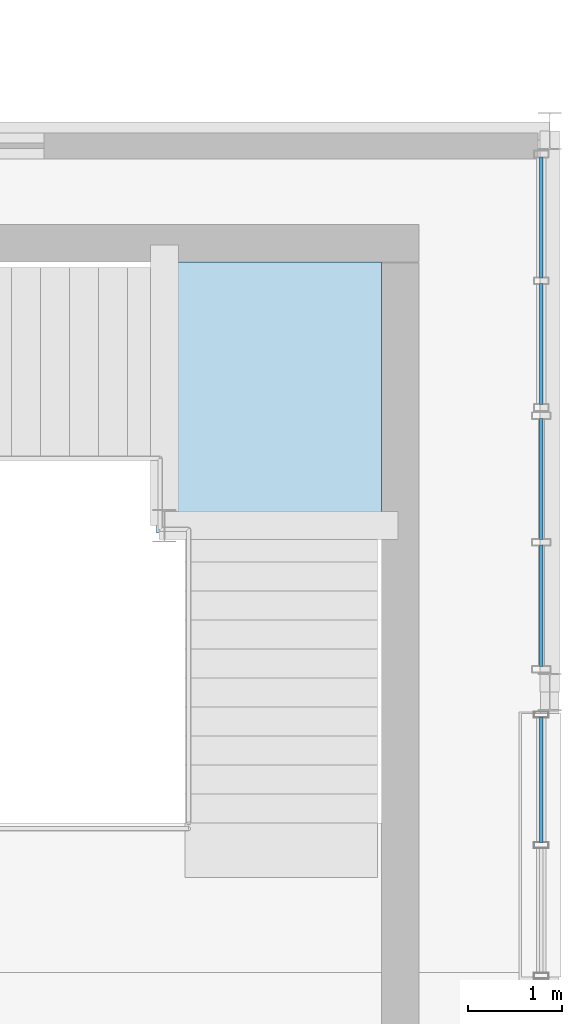
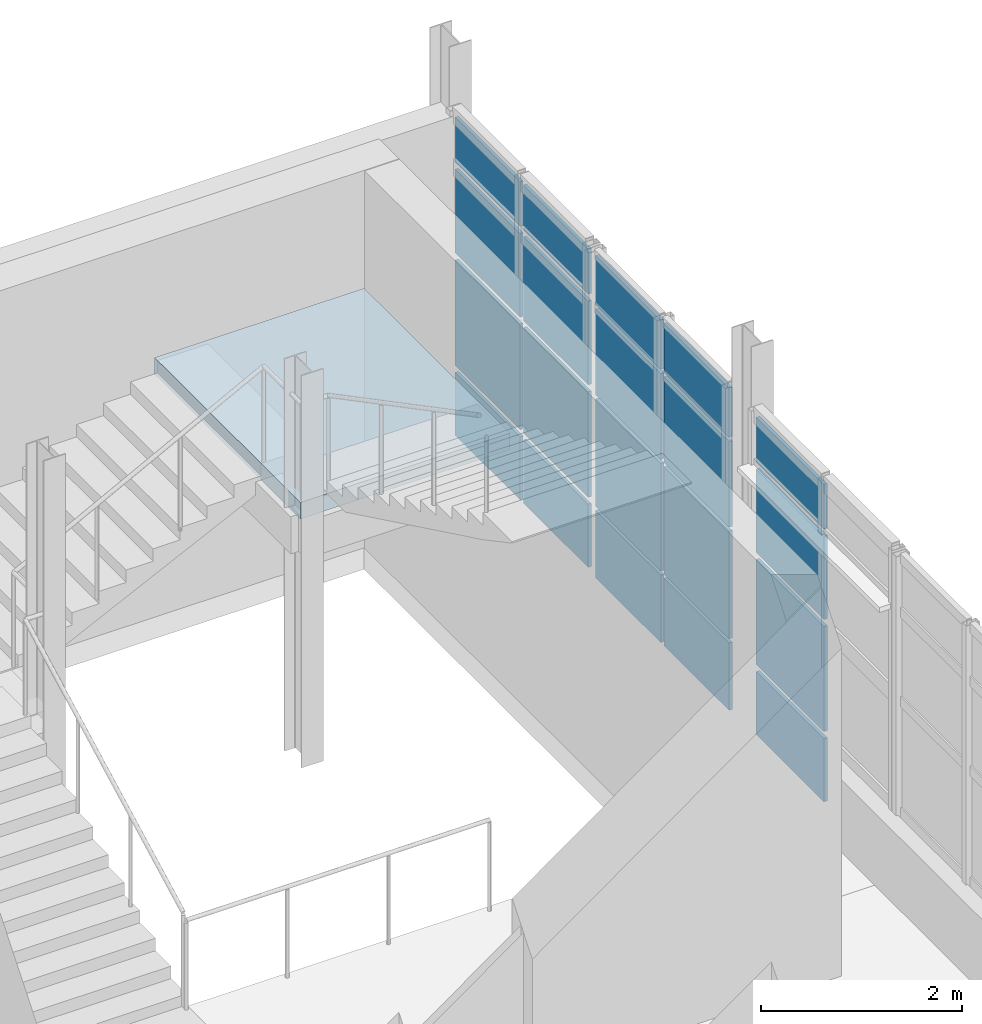
# One storey, part 80 of 102: 20 plates, 1 slab, 4 elements without a shape of their own.
"""IFC4 building model written with IfcOpenShell, lengths in metres."""

import ifcopenshell
import ifcopenshell.guid

model = None  # the IFC model being written
_history = None  # IfcOwnerHistory: only IFC2X3 demands one
_inside = {}  # id of a spatial element -> (the spatial element, [elements in it])
_under = {}  # id of a project, library or spatial element -> (it, [spatial elements below it])
_declared = {}  # id of a project -> (the project, [libraries it declares])
_typed = {}  # id of a type object -> (the type object, [elements of that type])
_made_of = {}  # id of a material, layer set ... -> (it, [elements and type objects made of it])


def new_model(schema):
    """Start an empty IFC model of exactly this schema.

    Asked for "IFC4X3", IfcOpenShell would pick the latest addendum, in which some entities
    have other attributes; the version numbers below select the first issue.
    IFC2X3 requires an IfcOwnerHistory on every rooted entity: one is made here for all.
    """
    global model, _history
    if schema == "IFC4X3":
        model = ifcopenshell.file(schema_version=(4, 3, 0, 0))
    else:
        model = ifcopenshell.file(schema=schema)
    _inside.clear()
    _under.clear()
    _declared.clear()
    _typed.clear()
    _made_of.clear()
    _history = None
    if model.schema == "IFC2X3":
        org = make("IfcOrganization", Name="unknown")
        user = make(
            "IfcPersonAndOrganization",
            ThePerson=make("IfcPerson", FamilyName="unknown"),
            TheOrganization=org,
        )
        app = make(
            "IfcApplication",
            ApplicationDeveloper=org,
            Version="unknown",
            ApplicationFullName="unknown",
            ApplicationIdentifier="unknown",
        )
        _history = make(
            "IfcOwnerHistory",
            OwningUser=user,
            OwningApplication=app,
            ChangeAction="ADDED",
            CreationDate=0,
        )
    return model


def make(cls, **values):
    """One entity of the class cls with the attributes given. An attribute that is None is left unset."""
    return model.create_entity(
        cls, **{name: value for name, value in values.items() if value is not None}
    )


def rooted(cls, **values):
    """An entity with a GlobalId (a new one), such as an element, a storey or a relation."""
    return make(cls, GlobalId=ifcopenshell.guid.new(), OwnerHistory=_history, **values)


def si_unit(unit_type, name, prefix=None):
    """IfcSIUnit, for example si_unit("LENGTHUNIT", "METRE", prefix="MILLI")."""
    return make("IfcSIUnit", UnitType=unit_type, Prefix=prefix, Name=name)


def derived_unit(unit_type, elements):
    """IfcDerivedUnit: a product of units, each with its exponent."""
    return make(
        "IfcDerivedUnit",
        Elements=[
            make("IfcDerivedUnitElement", Unit=unit, Exponent=power)
            for unit, power in elements
        ],
        UnitType=unit_type,
    )


def assignment(units):
    """IfcUnitAssignment: the units of a project."""
    return None if units is None else make("IfcUnitAssignment", Units=units)


def point(xyz):
    """IfcCartesianPoint."""
    return None if xyz is None else make("IfcCartesianPoint", Coordinates=xyz)


def direction(xyz):
    """IfcDirection."""
    return None if xyz is None else make("IfcDirection", DirectionRatios=xyz)


def frame(location, z_axis=None, x_axis=None):
    """IfcAxis2Placement3D, a coordinate frame: its origin and axes. An axis left out is left unset."""
    return make(
        "IfcAxis2Placement3D",
        Location=point(location),
        Axis=direction(z_axis),
        RefDirection=direction(x_axis),
    )


def frame_2d(location, x_axis=None):
    """IfcAxis2Placement2D, a coordinate frame in the plane: its origin and x axis."""
    return make(
        "IfcAxis2Placement2D", Location=point(location), RefDirection=direction(x_axis)
    )


def origin():
    """The frame at (0, 0, 0) with its axes left unset."""
    return frame((0.0, 0.0, 0.0))


def origin_2d():
    """The frame at (0, 0) in the plane with its x axis left unset."""
    return frame_2d((0.0, 0.0))


def place(relative_to, where):
    """IfcLocalPlacement: puts the frame where relative to a parent placement (None: the world)."""
    return make(
        "IfcLocalPlacement", PlacementRelTo=relative_to, RelativePlacement=where
    )


def context(
    kind, dimensions, precision=None, world=None, true_north=None, identifier=None
):
    """IfcGeometricRepresentationContext, for example the 3D "Model" context."""
    return make(
        "IfcGeometricRepresentationContext",
        ContextIdentifier=identifier,
        ContextType=kind,
        CoordinateSpaceDimension=dimensions,
        Precision=precision,
        WorldCoordinateSystem=world,
        TrueNorth=true_north,
    )


def subcontext(parent, identifier, kind, view, scale=None):
    """IfcGeometricRepresentationSubContext, for example "Body" below "Model"."""
    return make(
        "IfcGeometricRepresentationSubContext",
        ContextIdentifier=identifier,
        ContextType=kind,
        ParentContext=parent,
        TargetScale=scale,
        TargetView=view,
    )


def project(units=None, contexts=None):
    """IfcProject with its units and contexts."""
    return rooted(
        "IfcProject",
        Name="project",
        RepresentationContexts=contexts,
        UnitsInContext=assignment(units),
    )


def spatial(cls, under=None, at=None, **own):
    """A site, building, storey or space (cls), placed at a placement, below another one or the project."""
    s = rooted(cls, ObjectPlacement=at, **own)
    if under is not None:
        _under.setdefault(under.id(), (under, []))[1].append(s)
    return s


def polyline(points):
    """IfcPolyline through the points."""
    return make("IfcPolyline", Points=[point(p) for p in points])


def profile(cls, at=None, kind="AREA", **sizes):
    """A parametric profile (cls). Its sizes go by their IFC names, for example OverallWidth=200.0."""
    return make(cls, ProfileType=kind, Position=at, **sizes)


def rectangle(**sizes):
    """IfcRectangleProfileDef."""
    return profile("IfcRectangleProfileDef", **sizes)


def outline(outer, holes=None, kind="AREA"):
    """IfcArbitraryClosedProfileDef: a profile drawn as a closed curve; with holes, ...WithVoids."""
    if holes is None:
        return make("IfcArbitraryClosedProfileDef", ProfileType=kind, OuterCurve=outer)
    return make(
        "IfcArbitraryProfileDefWithVoids",
        ProfileType=kind,
        OuterCurve=outer,
        InnerCurves=holes,
    )


def extrude(swept, where, along, depth):
    """IfcExtrudedAreaSolid: the profile swept, set in the frame where, extruded along a direction by depth."""
    return make(
        "IfcExtrudedAreaSolid",
        SweptArea=swept,
        Position=where,
        ExtrudedDirection=direction(along),
        Depth=depth,
    )


def shape(context_of_items, identifier, shape_type, items):
    """IfcShapeRepresentation: the items that make up one representation, for example the "Body"."""
    return make(
        "IfcShapeRepresentation",
        ContextOfItems=context_of_items,
        RepresentationIdentifier=identifier,
        RepresentationType=shape_type,
        Items=items,
    )


def material(Name=None, Category=None):
    """IfcMaterial."""
    return make("IfcMaterial", Name=Name, Category=Category)


def layer(
    of_material, thickness, ventilated=None, Name=None, Category=None, Priority=None
):
    """IfcMaterialLayer: one layer of a wall or slab, of a material (None: an air gap)."""
    return make(
        "IfcMaterialLayer",
        Material=of_material,
        LayerThickness=thickness,
        IsVentilated=ventilated,
        Name=Name,
        Category=Category,
        Priority=Priority,
    )


def layer_set(layers, Name=None):
    """IfcMaterialLayerSet."""
    return make("IfcMaterialLayerSet", MaterialLayers=layers, LayerSetName=Name)


def made_of(thing, what):
    """Note that an element or type object is made of a material, layer set ...; save() writes the relation."""
    if what is not None:
        _made_of.setdefault(what.id(), (what, []))[1].append(thing)
    return thing


def type_object(cls, material=None, **own):
    """A type object (cls), such as IfcWallType, which elements share."""
    return made_of(rooted(cls, **own), material)


def element(
    cls,
    number,
    at=None,
    inside=None,
    cuts=None,
    type_object=None,
    material=None,
    context=None,
    identifier="Body",
    shape_type=None,
    held_by="IfcProductDefinitionShape",
    body=None,
    shapes=None,
    **own,
):
    """One element of the class cls, such as IfcWall. Its Tag is "e" and its number.

    at: its placement. inside: the storey or other place that contains it. cuts: it is an
    opening in that element (IfcRelVoidsElement). A single representation is given by context,
    identifier, shape_type and body (its items); several are given by shapes. held_by: the class
    of the entity that holds the representations. save() writes the other relations.
    """
    e = rooted(cls, Tag="e%d" % number, ObjectPlacement=at, **own)
    if body is not None:
        shapes = [shape(context, identifier, shape_type, body)]
    if shapes is not None:
        e.Representation = make(held_by, Representations=shapes)
    if inside is not None:
        _inside.setdefault(inside.id(), (inside, []))[1].append(e)
    if cuts is not None:
        rooted(
            "IfcRelVoidsElement", RelatingBuildingElement=cuts, RelatedOpeningElement=e
        )
    if type_object is not None:
        _typed.setdefault(type_object.id(), (type_object, []))[1].append(e)
    return made_of(e, material)


def aggregate(whole, parts):
    """IfcRelAggregates: a whole, such as a stair, and the parts it consists of."""
    return rooted("IfcRelAggregates", RelatingObject=whole, RelatedObjects=parts)


def save(model, path):
    """Write the relations noted so far, then the file.

    IfcRelAggregates (storeys below a building ...), IfcRelContainedInSpatialStructure (elements
    in a storey), IfcRelDefinesByType, IfcRelAssociatesMaterial and IfcRelDeclares: one each for
    every whole, place, type object, material and project.
    """
    for whole, parts in _under.values():
        aggregate(whole, parts)
    for where, things in _inside.values():
        rooted(
            "IfcRelContainedInSpatialStructure",
            RelatedElements=things,
            RelatingStructure=where,
        )
    for kind, things in _typed.values():
        rooted("IfcRelDefinesByType", RelatedObjects=things, RelatingType=kind)
    for what, things in _made_of.values():
        rooted("IfcRelAssociatesMaterial", RelatedObjects=things, RelatingMaterial=what)
    for by, libraries in _declared.values():
        rooted("IfcRelDeclares", RelatingContext=by, RelatedDefinitions=libraries)
    model.write(path)


model = new_model("IFC4")

# Units and contexts
model_context = context("Model", 3, precision=1e-05, world=origin(), true_north=direction((0.0, 1.0)))
body_context = subcontext(model_context, "Body", "Model", "MODEL_VIEW")
ifc_project = project(units=[si_unit("LENGTHUNIT", "METRE"), si_unit("AREAUNIT", "SQUARE_METRE"), si_unit("VOLUMEUNIT", "CUBIC_METRE"), si_unit("PLANEANGLEUNIT", "RADIAN"), si_unit("MASSUNIT", "GRAM", prefix="KILO"), derived_unit("THERMALTRANSMITTANCEUNIT", [(si_unit("POWERUNIT", "WATT"), 1), (si_unit("LENGTHUNIT", "METRE"), -2), (si_unit("THERMODYNAMICTEMPERATUREUNIT", "KELVIN"), -1)])], contexts=[model_context])

# Site, building, storey
site_placement = place(None, origin())
site = spatial("IfcSite", under=ifc_project, at=site_placement, CompositionType="ELEMENT")
building_placement = place(site_placement, origin())
building = spatial("IfcBuilding", under=site, at=building_placement, Name="Nallur Shell Playhouse", CompositionType="ELEMENT")
storey_placement = place(building_placement, frame((0.0, 0.0, 15.0)))
storey = spatial("IfcBuildingStorey", under=building, at=storey_placement, Name="L04", CompositionType="ELEMENT", Elevation=15.0)

# Curtain wall, plates
ifc_material_1 = material(Name="Anodised Aluminium Double-Glazed Facade System", Category="aluminium")
ifc_layer_1 = layer(ifc_material_1, 0.16796875)
ifc_layer_set_1 = layer_set([ifc_layer_1], Name="Anodised Aluminium Double-Glazed Facade System")
curtain_wall_type_1 = type_object("IfcCurtainWallType", Name="CW-UNIT-14", PredefinedType="NOTDEFINED", material=ifc_layer_set_1)
curtain_wall_1_placement = place(storey_placement, origin())
curtain_wall_1 = element("IfcCurtainWall", 1, at=curtain_wall_1_placement, inside=storey, type_object=curtain_wall_type_1, Name="Unitised curtain wall CW-110 (L04)", PredefinedType="NOTDEFINED")
ifc_material_2 = material(Name="Solar-Control Low-E Laminated Insulating Glass", Category="glass")
ifc_layer_2 = layer(ifc_material_2, 0.035888671875)
ifc_layer_set_2 = layer_set([ifc_layer_2], Name="Solar-Control Low-E Laminated Insulating Glass")
plate_type_1 = type_object("IfcPlateType", Name="PT-GLZ-06", PredefinedType="CURTAIN_PANEL", material=ifc_layer_set_2)
plate_1_placement = place(storey_placement, frame((159.7099609375, 55.0751953125, 0.092041015625), z_axis=(0.0, 0.0, 1.0), x_axis=(0.0, -1.0, 0.0)))
plate_1 = element("IfcPlate", 2, at=plate_1_placement, type_object=plate_type_1, Name="CW-14 panel 1.1", PredefinedType="CURTAIN_PANEL", context=body_context, shape_type="SweptSolid", body=[
    extrude(rectangle(XDim=1.28955078125, YDim=0.035888671875, at=origin_2d()), origin(), (0.0, 0.0, 1.0), 0.76611328125),
])
plate_2_placement = place(storey_placement, frame((159.7099609375, 55.0751953125, 0.94189453125), z_axis=(0.0, 0.0, 1.0), x_axis=(0.0, -1.0, 0.0)))
plate_2 = element("IfcPlate", 3, at=plate_2_placement, type_object=plate_type_1, Name="CW-14 panel 1.2", PredefinedType="CURTAIN_PANEL", context=body_context, shape_type="SweptSolid", body=[
    extrude(rectangle(XDim=1.28955078125, YDim=0.035888671875, at=origin_2d()), origin(), (0.0, 0.0, 1.0), 1.281005859375),
])
plate_3_placement = place(storey_placement, frame((159.7099609375, 55.0751953125, 2.306884765625), z_axis=(0.0, 0.0, 1.0), x_axis=(0.0, -1.0, 0.0)))
plate_3 = element("IfcPlate", 4, at=plate_3_placement, type_object=plate_type_1, Name="CW-14 panel 1.3", PredefinedType="CURTAIN_PANEL", context=body_context, shape_type="SweptSolid", body=[
    extrude(rectangle(XDim=1.28955078125, YDim=0.035888671875, at=origin_2d()), origin(), (0.0, 0.0, 1.0), 1.01611328125),
])
plate_4_placement = place(storey_placement, frame((159.7099609375, 55.0751953125, 3.406982421875), z_axis=(0.0, 0.0, 1.0), x_axis=(0.0, -1.0, 0.0)))
plate_4 = element("IfcPlate", 5, at=plate_4_placement, type_object=plate_type_1, Name="CW-14 panel 1.4", PredefinedType="CURTAIN_PANEL", context=body_context, shape_type="SweptSolid", body=[
    extrude(rectangle(XDim=1.28955078125, YDim=0.035888671875, at=origin_2d()), origin(), (0.0, 0.0, 1.0), 0.5458984375),
])
plate_5_placement = place(storey_placement, frame((159.7099609375, 53.7216796875, 0.092041015625), z_axis=(0.0, 0.0, 1.0), x_axis=(0.0, -1.0, 0.0)))
plate_5 = element("IfcPlate", 6, at=plate_5_placement, type_object=plate_type_1, Name="CW-14 panel 2.1", PredefinedType="CURTAIN_PANEL", context=body_context, shape_type="SweptSolid", body=[
    extrude(rectangle(XDim=1.28955078125, YDim=0.035888671875, at=origin_2d()), origin(), (0.0, 0.0, 1.0), 0.76611328125),
])
plate_6_placement = place(storey_placement, frame((159.7099609375, 53.7216796875, 0.94189453125), z_axis=(0.0, 0.0, 1.0), x_axis=(0.0, -1.0, 0.0)))
plate_6 = element("IfcPlate", 7, at=plate_6_placement, type_object=plate_type_1, Name="CW-14 panel 2.2", PredefinedType="CURTAIN_PANEL", context=body_context, shape_type="SweptSolid", body=[
    extrude(rectangle(XDim=1.28955078125, YDim=0.035888671875, at=origin_2d()), origin(), (0.0, 0.0, 1.0), 1.281005859375),
])
plate_7_placement = place(storey_placement, frame((159.7099609375, 53.7216796875, 2.306884765625), z_axis=(0.0, 0.0, 1.0), x_axis=(0.0, -1.0, 0.0)))
plate_7 = element("IfcPlate", 8, at=plate_7_placement, type_object=plate_type_1, Name="CW-14 panel 2.3", PredefinedType="CURTAIN_PANEL", context=body_context, shape_type="SweptSolid", body=[
    extrude(rectangle(XDim=1.28955078125, YDim=0.035888671875, at=origin_2d()), origin(), (0.0, 0.0, 1.0), 1.01611328125),
])
plate_8_placement = place(storey_placement, frame((159.7099609375, 53.7216796875, 3.406982421875), z_axis=(0.0, 0.0, 1.0), x_axis=(0.0, -1.0, 0.0)))
plate_8 = element("IfcPlate", 9, at=plate_8_placement, type_object=plate_type_1, Name="CW-14 panel 2.4", PredefinedType="CURTAIN_PANEL", context=body_context, shape_type="SweptSolid", body=[
    extrude(rectangle(XDim=1.28955078125, YDim=0.035888671875, at=origin_2d()), origin(), (0.0, 0.0, 1.0), 0.5458984375),
])
aggregate(curtain_wall_1, [plate_1, plate_2, plate_3, plate_4, plate_5, plate_6, plate_7, plate_8])

ifc_layer_3 = layer(ifc_material_1, 0.172119140625)
ifc_layer_set_3 = layer_set([ifc_layer_3], Name="Anodised Aluminium Double-Glazed Facade System")
curtain_wall_type_2 = type_object("IfcCurtainWallType", Name="CW-UNIT-15", PredefinedType="NOTDEFINED", material=ifc_layer_set_3)
curtain_wall_2_placement = place(storey_placement, origin())
curtain_wall_2 = element("IfcCurtainWall", 10, at=curtain_wall_2_placement, inside=storey, type_object=curtain_wall_type_2, Name="Unitised curtain wall CW-111 (L04)", PredefinedType="NOTDEFINED")
ifc_layer_4 = layer(ifc_material_2, 0.0380859375)
ifc_layer_set_4 = layer_set([ifc_layer_4], Name="Solar-Control Low-E Laminated Insulating Glass")
plate_type_2 = type_object("IfcPlateType", Name="PT-GLZ-07", PredefinedType="CURTAIN_PANEL", material=ifc_layer_set_4)
plate_9_placement = place(storey_placement, frame((159.7099609375, 52.279541015625, 0.05712890625), z_axis=(0.0, 0.0, 1.0), x_axis=(0.0, -1.0, 0.0)))
plate_9 = element("IfcPlate", 11, at=plate_9_placement, type_object=plate_type_2, Name="CW-15 panel 1.1", PredefinedType="CURTAIN_PANEL", context=body_context, shape_type="SweptSolid", body=[
    extrude(rectangle(XDim=1.297119140625, YDim=0.0380859375, at=origin_2d()), origin(), (0.0, 0.0, 1.0), 0.818603515625),
])
plate_10_placement = place(storey_placement, frame((159.7099609375, 52.279541015625, 0.92431640625), z_axis=(0.0, 0.0, 1.0), x_axis=(0.0, -1.0, 0.0)))
plate_10 = element("IfcPlate", 12, at=plate_10_placement, type_object=plate_type_2, Name="CW-15 panel 1.2", PredefinedType="CURTAIN_PANEL", context=body_context, shape_type="SweptSolid", body=[
    extrude(rectangle(XDim=1.297119140625, YDim=0.0380859375, at=origin_2d()), origin(), (0.0, 0.0, 1.0), 1.304931640625),
])
plate_11_placement = place(storey_placement, frame((159.7099609375, 52.279541015625, 2.278564453125), z_axis=(0.0, 0.0, 1.0), x_axis=(0.0, -1.0, 0.0)))
plate_11 = element("IfcPlate", 13, at=plate_11_placement, type_object=plate_type_2, Name="CW-15 panel 1.3", PredefinedType="CURTAIN_PANEL", context=body_context, shape_type="SweptSolid", body=[
    extrude(rectangle(XDim=1.297119140625, YDim=0.0380859375, at=origin_2d()), origin(), (0.0, 0.0, 1.0), 1.0419921875),
])
plate_12_placement = place(storey_placement, frame((159.7099609375, 52.279541015625, 3.36962890625), z_axis=(0.0, 0.0, 1.0), x_axis=(0.0, -1.0, 0.0)))
plate_12 = element("IfcPlate", 14, at=plate_12_placement, type_object=plate_type_2, Name="CW-15 panel 1.4", PredefinedType="CURTAIN_PANEL", context=body_context, shape_type="SweptSolid", body=[
    extrude(rectangle(XDim=1.297119140625, YDim=0.0380859375, at=origin_2d()), origin(), (0.0, 0.0, 1.0), 0.598388671875),
])
plate_13_placement = place(storey_placement, frame((159.7099609375, 50.923583984375, 0.05712890625), z_axis=(0.0, 0.0, 1.0), x_axis=(0.0, -1.0, 0.0)))
plate_13 = element("IfcPlate", 15, at=plate_13_placement, type_object=plate_type_2, Name="CW-15 panel 2.1", PredefinedType="CURTAIN_PANEL", context=body_context, shape_type="SweptSolid", body=[
    extrude(rectangle(XDim=1.297119140625, YDim=0.0380859375, at=origin_2d()), origin(), (0.0, 0.0, 1.0), 0.818603515625),
])
plate_14_placement = place(storey_placement, frame((159.7099609375, 50.923583984375, 0.92431640625), z_axis=(0.0, 0.0, 1.0), x_axis=(0.0, -1.0, 0.0)))
plate_14 = element("IfcPlate", 16, at=plate_14_placement, type_object=plate_type_2, Name="CW-15 panel 2.2", PredefinedType="CURTAIN_PANEL", context=body_context, shape_type="SweptSolid", body=[
    extrude(rectangle(XDim=1.297119140625, YDim=0.0380859375, at=origin_2d()), origin(), (0.0, 0.0, 1.0), 1.304931640625),
])
plate_15_placement = place(storey_placement, frame((159.7099609375, 50.923583984375, 2.278564453125), z_axis=(0.0, 0.0, 1.0), x_axis=(0.0, -1.0, 0.0)))
plate_15 = element("IfcPlate", 17, at=plate_15_placement, type_object=plate_type_2, Name="CW-15 panel 2.3", PredefinedType="CURTAIN_PANEL", context=body_context, shape_type="SweptSolid", body=[
    extrude(rectangle(XDim=1.297119140625, YDim=0.0380859375, at=origin_2d()), origin(), (0.0, 0.0, 1.0), 1.0419921875),
])
plate_16_placement = place(storey_placement, frame((159.7099609375, 50.923583984375, 3.36962890625), z_axis=(0.0, 0.0, 1.0), x_axis=(0.0, -1.0, 0.0)))
plate_16 = element("IfcPlate", 18, at=plate_16_placement, type_object=plate_type_2, Name="CW-15 panel 2.4", PredefinedType="CURTAIN_PANEL", context=body_context, shape_type="SweptSolid", body=[
    extrude(rectangle(XDim=1.297119140625, YDim=0.0380859375, at=origin_2d()), origin(), (0.0, 0.0, 1.0), 0.598388671875),
])
aggregate(curtain_wall_2, [plate_9, plate_10, plate_11, plate_12, plate_13, plate_14, plate_15, plate_16])

ifc_layer_5 = layer(ifc_material_1, 0.176025390625)
ifc_layer_set_5 = layer_set([ifc_layer_5], Name="Anodised Aluminium Double-Glazed Facade System")
curtain_wall_type_3 = type_object("IfcCurtainWallType", Name="CW-UNIT-16", PredefinedType="NOTDEFINED", material=ifc_layer_set_5)
curtain_wall_3_placement = place(storey_placement, origin())
curtain_wall_3 = element("IfcCurtainWall", 19, at=curtain_wall_3_placement, inside=storey, type_object=curtain_wall_type_3, Name="Unitised curtain wall CW-112 (L04)", PredefinedType="NOTDEFINED")
ifc_layer_6 = layer(ifc_material_2, 0.0400390625)
ifc_layer_set_6 = layer_set([ifc_layer_6], Name="Solar-Control Low-E Laminated Insulating Glass")
plate_type_3 = type_object("IfcPlateType", Name="PT-GLZ-08", PredefinedType="CURTAIN_PANEL", material=ifc_layer_set_6)
plate_17_placement = place(storey_placement, frame((159.7099609375, 49.061767578125, 0.092041015625), z_axis=(0.0, 0.0, 1.0), x_axis=(0.0, -1.0, 0.0)))
plate_17 = element("IfcPlate", 20, at=plate_17_placement, type_object=plate_type_3, Name="CW-16 panel 1.1", PredefinedType="CURTAIN_PANEL", context=body_context, shape_type="SweptSolid", body=[
    extrude(rectangle(XDim=1.3466796875, YDim=0.0400390625, at=origin_2d()), origin(), (0.0, 0.0, 1.0), 0.76611328125),
])
plate_18_placement = place(storey_placement, frame((159.7099609375, 49.061767578125, 0.942138671875), z_axis=(0.0, 0.0, 1.0), x_axis=(0.0, -1.0, 0.0)))
plate_18 = element("IfcPlate", 21, at=plate_18_placement, type_object=plate_type_3, Name="CW-16 panel 1.2", PredefinedType="CURTAIN_PANEL", context=body_context, shape_type="SweptSolid", body=[
    extrude(rectangle(XDim=1.3466796875, YDim=0.0400390625, at=origin_2d()), origin(), (0.0, 0.0, 1.0), 1.27587890625),
])
plate_19_placement = place(storey_placement, frame((159.7099609375, 49.061767578125, 2.30224609375), z_axis=(0.0, 0.0, 1.0), x_axis=(0.0, -1.0, 0.0)))
plate_19 = element("IfcPlate", 22, at=plate_19_placement, type_object=plate_type_3, Name="CW-16 panel 1.3", PredefinedType="CURTAIN_PANEL", context=body_context, shape_type="SweptSolid", body=[
    extrude(rectangle(XDim=1.3466796875, YDim=0.0400390625, at=origin_2d()), origin(), (0.0, 0.0, 1.0), 1.010986328125),
])
plate_20_placement = place(storey_placement, frame((159.7099609375, 49.061767578125, 3.39697265625), z_axis=(0.0, 0.0, 1.0), x_axis=(0.0, -1.0, 0.0)))
plate_20 = element("IfcPlate", 23, at=plate_20_placement, type_object=plate_type_3, Name="CW-16 panel 1.4", PredefinedType="CURTAIN_PANEL", context=body_context, shape_type="SweptSolid", body=[
    extrude(rectangle(XDim=1.3466796875, YDim=0.0400390625, at=origin_2d()), origin(), (0.0, 0.0, 1.0), 0.5458984375),
])
aggregate(curtain_wall_3, [plate_17, plate_18, plate_19, plate_20])

# Stair, slab
ifc_material_3 = material(Name="Concrete M35", Category="concrete")
stair_type = type_object("IfcStairType", Name="ST-CORE-48", PredefinedType="QUARTER_TURN_STAIR", material=ifc_material_3)
stair_placement = place(storey_placement, origin())
stair = element("IfcStair", 24, at=stair_placement, inside=storey, type_object=stair_type, Name="Core JC-5 exit stair ST-05-L04 (L04 to L05)", PredefinedType="QUARTER_TURN_STAIR")
ifc_layer_7 = layer(ifc_material_3, 0.199951171875)
ifc_layer_set_7 = layer_set([ifc_layer_7], Name="Concrete M35")
slab_type = type_object("IfcSlabType", Name="SL-LANDING-200", PredefinedType="LANDING", material=ifc_layer_set_7)
slab_placement = place(storey_placement, frame((0.0, 0.0, 2.949951171875)))
slab = element("IfcSlab", 25, at=slab_placement, type_object=slab_type, Name="ST-48 landing 2", PredefinedType="LANDING", context=body_context, shape_type="SweptSolid", body=[
    extrude(outline(polyline([(155.594970703125, 51.699951171875), (158.0, 51.699951171875), (158.0, 54.60009765625), (155.594970703125, 54.60009765625), (155.594970703125, 51.699951171875)])), origin(), (0.0, 0.0, 1.0), 0.199951171875),
])
aggregate(stair, [slab])

save(model, "model.ifc")
